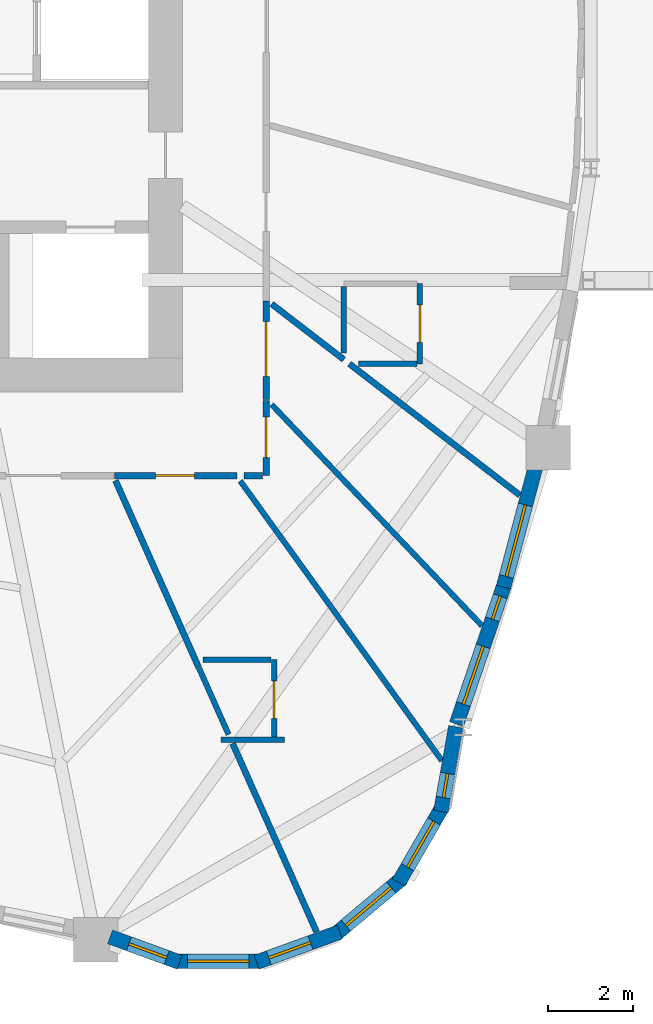
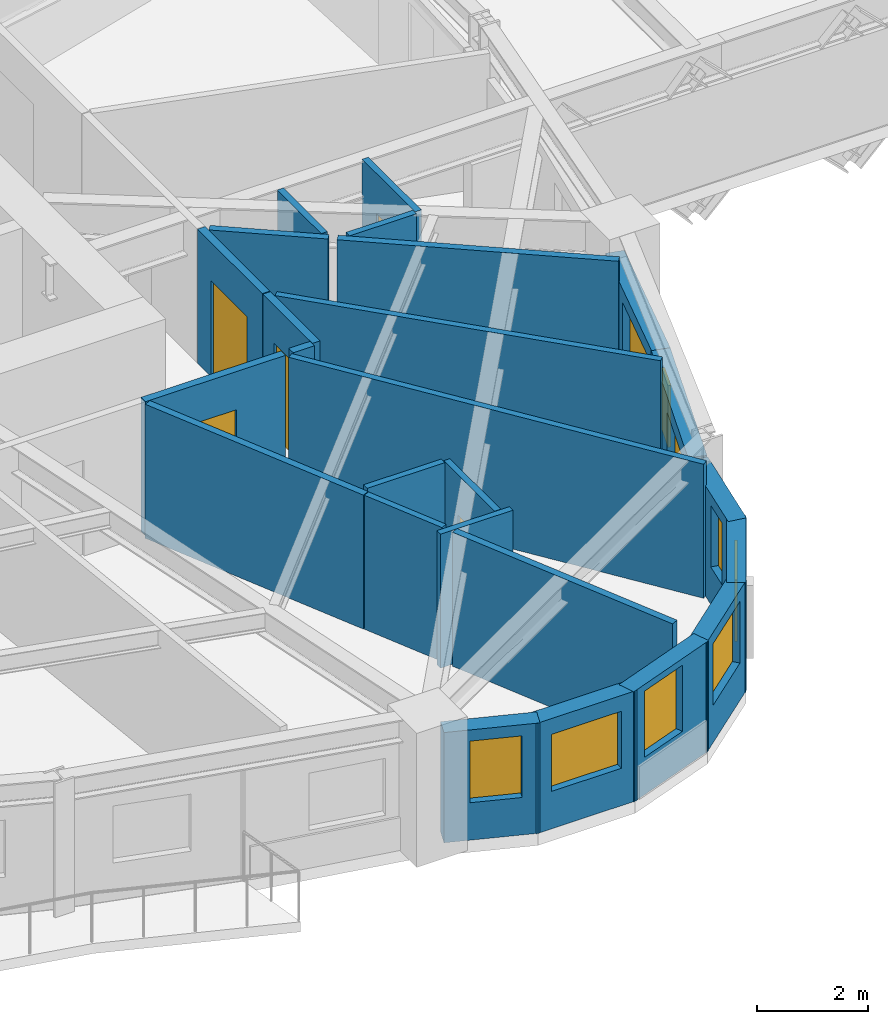
# One storey, part 7 of 16: 25 walls, 9 windows, 5 doors, 14 openings.
"""IFC4 building model written with IfcOpenShell, lengths in metres."""

import ifcopenshell
import ifcopenshell.guid

model = None  # the IFC model being written
_history = None  # IfcOwnerHistory: only IFC2X3 demands one
_inside = {}  # id of a spatial element -> (the spatial element, [elements in it])
_under = {}  # id of a project, library or spatial element -> (it, [spatial elements below it])
_declared = {}  # id of a project -> (the project, [libraries it declares])
_typed = {}  # id of a type object -> (the type object, [elements of that type])
_made_of = {}  # id of a material, layer set ... -> (it, [elements and type objects made of it])


def new_model(schema):
    """Start an empty IFC model of exactly this schema.

    Asked for "IFC4X3", IfcOpenShell would pick the latest addendum, in which some entities
    have other attributes; the version numbers below select the first issue.
    IFC2X3 requires an IfcOwnerHistory on every rooted entity: one is made here for all.
    """
    global model, _history
    if schema == "IFC4X3":
        model = ifcopenshell.file(schema_version=(4, 3, 0, 0))
    else:
        model = ifcopenshell.file(schema=schema)
    _inside.clear()
    _under.clear()
    _declared.clear()
    _typed.clear()
    _made_of.clear()
    _history = None
    if model.schema == "IFC2X3":
        org = make("IfcOrganization", Name="unknown")
        user = make(
            "IfcPersonAndOrganization",
            ThePerson=make("IfcPerson", FamilyName="unknown"),
            TheOrganization=org,
        )
        app = make(
            "IfcApplication",
            ApplicationDeveloper=org,
            Version="unknown",
            ApplicationFullName="unknown",
            ApplicationIdentifier="unknown",
        )
        _history = make(
            "IfcOwnerHistory",
            OwningUser=user,
            OwningApplication=app,
            ChangeAction="ADDED",
            CreationDate=0,
        )
    return model


def make(cls, **values):
    """One entity of the class cls with the attributes given. An attribute that is None is left unset."""
    return model.create_entity(
        cls, **{name: value for name, value in values.items() if value is not None}
    )


def rooted(cls, **values):
    """An entity with a GlobalId (a new one), such as an element, a storey or a relation."""
    return make(cls, GlobalId=ifcopenshell.guid.new(), OwnerHistory=_history, **values)


def si_unit(unit_type, name, prefix=None):
    """IfcSIUnit, for example si_unit("LENGTHUNIT", "METRE", prefix="MILLI")."""
    return make("IfcSIUnit", UnitType=unit_type, Prefix=prefix, Name=name)


def assignment(units):
    """IfcUnitAssignment: the units of a project."""
    return None if units is None else make("IfcUnitAssignment", Units=units)


def point(xyz):
    """IfcCartesianPoint."""
    return None if xyz is None else make("IfcCartesianPoint", Coordinates=xyz)


def direction(xyz):
    """IfcDirection."""
    return None if xyz is None else make("IfcDirection", DirectionRatios=xyz)


def frame(location, z_axis=None, x_axis=None):
    """IfcAxis2Placement3D, a coordinate frame: its origin and axes. An axis left out is left unset."""
    return make(
        "IfcAxis2Placement3D",
        Location=point(location),
        Axis=direction(z_axis),
        RefDirection=direction(x_axis),
    )


def frame_2d(location, x_axis=None):
    """IfcAxis2Placement2D, a coordinate frame in the plane: its origin and x axis."""
    return make(
        "IfcAxis2Placement2D", Location=point(location), RefDirection=direction(x_axis)
    )


def origin():
    """The frame at (0, 0, 0) with its axes left unset."""
    return frame((0.0, 0.0, 0.0))


def place(relative_to, where):
    """IfcLocalPlacement: puts the frame where relative to a parent placement (None: the world)."""
    return make(
        "IfcLocalPlacement", PlacementRelTo=relative_to, RelativePlacement=where
    )


def context(
    kind, dimensions, precision=None, world=None, true_north=None, identifier=None
):
    """IfcGeometricRepresentationContext, for example the 3D "Model" context."""
    return make(
        "IfcGeometricRepresentationContext",
        ContextIdentifier=identifier,
        ContextType=kind,
        CoordinateSpaceDimension=dimensions,
        Precision=precision,
        WorldCoordinateSystem=world,
        TrueNorth=true_north,
    )


def subcontext(parent, identifier, kind, view, scale=None):
    """IfcGeometricRepresentationSubContext, for example "Body" below "Model"."""
    return make(
        "IfcGeometricRepresentationSubContext",
        ContextIdentifier=identifier,
        ContextType=kind,
        ParentContext=parent,
        TargetScale=scale,
        TargetView=view,
    )


def project(units=None, contexts=None):
    """IfcProject with its units and contexts."""
    return rooted(
        "IfcProject",
        Name="project",
        RepresentationContexts=contexts,
        UnitsInContext=assignment(units),
    )


def spatial(cls, under=None, at=None, **own):
    """A site, building, storey or space (cls), placed at a placement, below another one or the project."""
    s = rooted(cls, ObjectPlacement=at, **own)
    if under is not None:
        _under.setdefault(under.id(), (under, []))[1].append(s)
    return s


def profile(cls, at=None, kind="AREA", **sizes):
    """A parametric profile (cls). Its sizes go by their IFC names, for example OverallWidth=200.0."""
    return make(cls, ProfileType=kind, Position=at, **sizes)


def rectangle(**sizes):
    """IfcRectangleProfileDef."""
    return profile("IfcRectangleProfileDef", **sizes)


def extrude(swept, where, along, depth):
    """IfcExtrudedAreaSolid: the profile swept, set in the frame where, extruded along a direction by depth."""
    return make(
        "IfcExtrudedAreaSolid",
        SweptArea=swept,
        Position=where,
        ExtrudedDirection=direction(along),
        Depth=depth,
    )


def shape(context_of_items, identifier, shape_type, items):
    """IfcShapeRepresentation: the items that make up one representation, for example the "Body"."""
    return make(
        "IfcShapeRepresentation",
        ContextOfItems=context_of_items,
        RepresentationIdentifier=identifier,
        RepresentationType=shape_type,
        Items=items,
    )


def source(mapping_origin, context_of_items, identifier, shape_type, items):
    """IfcRepresentationMap: a shape defined once, which mapped items show again and again."""
    return make(
        "IfcRepresentationMap",
        MappingOrigin=mapping_origin,
        MappedRepresentation=shape(context_of_items, identifier, shape_type, items),
    )


def transform(
    local_origin,
    x_axis=None,
    y_axis=None,
    z_axis=None,
    scale=None,
    scale2=None,
    scale3=None,
    uniform=True,
):
    """IfcCartesianTransformationOperator3D, or its non-uniform kind. x_axis, y_axis, z_axis: its Axis1, 2, 3."""
    if uniform:
        return make(
            "IfcCartesianTransformationOperator3D",
            Axis1=direction(x_axis),
            Axis2=direction(y_axis),
            LocalOrigin=point(local_origin),
            Scale=scale,
            Axis3=direction(z_axis),
        )
    return make(
        "IfcCartesianTransformationOperator3DnonUniform",
        Axis1=direction(x_axis),
        Axis2=direction(y_axis),
        LocalOrigin=point(local_origin),
        Scale=scale,
        Axis3=direction(z_axis),
        Scale2=scale2,
        Scale3=scale3,
    )


def mapped(mapping_source, mapping_target):
    """IfcMappedItem: shows the shape of a source again, moved by a transform."""
    return make(
        "IfcMappedItem", MappingSource=mapping_source, MappingTarget=mapping_target
    )


def material(Name=None, Category=None):
    """IfcMaterial."""
    return make("IfcMaterial", Name=Name, Category=Category)


def layer(
    of_material, thickness, ventilated=None, Name=None, Category=None, Priority=None
):
    """IfcMaterialLayer: one layer of a wall or slab, of a material (None: an air gap)."""
    return make(
        "IfcMaterialLayer",
        Material=of_material,
        LayerThickness=thickness,
        IsVentilated=ventilated,
        Name=Name,
        Category=Category,
        Priority=Priority,
    )


def layer_set(layers, Name=None):
    """IfcMaterialLayerSet."""
    return make("IfcMaterialLayerSet", MaterialLayers=layers, LayerSetName=Name)


def made_of(thing, what):
    """Note that an element or type object is made of a material, layer set ...; save() writes the relation."""
    if what is not None:
        _made_of.setdefault(what.id(), (what, []))[1].append(thing)
    return thing


def type_object(cls, material=None, **own):
    """A type object (cls), such as IfcWallType, which elements share."""
    return made_of(rooted(cls, **own), material)


def element(
    cls,
    number,
    at=None,
    inside=None,
    cuts=None,
    type_object=None,
    material=None,
    context=None,
    identifier="Body",
    shape_type=None,
    held_by="IfcProductDefinitionShape",
    body=None,
    shapes=None,
    **own,
):
    """One element of the class cls, such as IfcWall. Its Tag is "e" and its number.

    at: its placement. inside: the storey or other place that contains it. cuts: it is an
    opening in that element (IfcRelVoidsElement). A single representation is given by context,
    identifier, shape_type and body (its items); several are given by shapes. held_by: the class
    of the entity that holds the representations. save() writes the other relations.
    """
    e = rooted(cls, Tag="e%d" % number, ObjectPlacement=at, **own)
    if body is not None:
        shapes = [shape(context, identifier, shape_type, body)]
    if shapes is not None:
        e.Representation = make(held_by, Representations=shapes)
    if inside is not None:
        _inside.setdefault(inside.id(), (inside, []))[1].append(e)
    if cuts is not None:
        rooted(
            "IfcRelVoidsElement", RelatingBuildingElement=cuts, RelatedOpeningElement=e
        )
    if type_object is not None:
        _typed.setdefault(type_object.id(), (type_object, []))[1].append(e)
    return made_of(e, material)


def fill(opening, filler):
    """IfcRelFillsElement: the door or window that sits in an opening."""
    return rooted(
        "IfcRelFillsElement",
        RelatingOpeningElement=opening,
        RelatedBuildingElement=filler,
    )


def aggregate(whole, parts):
    """IfcRelAggregates: a whole, such as a stair, and the parts it consists of."""
    return rooted("IfcRelAggregates", RelatingObject=whole, RelatedObjects=parts)


def save(model, path):
    """Write the relations noted so far, then the file.

    IfcRelAggregates (storeys below a building ...), IfcRelContainedInSpatialStructure (elements
    in a storey), IfcRelDefinesByType, IfcRelAssociatesMaterial and IfcRelDeclares: one each for
    every whole, place, type object, material and project.
    """
    for whole, parts in _under.values():
        aggregate(whole, parts)
    for where, things in _inside.values():
        rooted(
            "IfcRelContainedInSpatialStructure",
            RelatedElements=things,
            RelatingStructure=where,
        )
    for kind, things in _typed.values():
        rooted("IfcRelDefinesByType", RelatedObjects=things, RelatingType=kind)
    for what, things in _made_of.values():
        rooted("IfcRelAssociatesMaterial", RelatedObjects=things, RelatingMaterial=what)
    for by, libraries in _declared.values():
        rooted("IfcRelDeclares", RelatingContext=by, RelatedDefinitions=libraries)
    model.write(path)


model = new_model("IFC4")

# Units and contexts
model_context = context("Model", 3, precision=1e-05, world=origin(), true_north=direction((0.0, 1.0)))
body_context = subcontext(model_context, "Body", "Model", "MODEL_VIEW")
ifc_project = project(units=[si_unit("LENGTHUNIT", "METRE"), si_unit("AREAUNIT", "SQUARE_METRE"), si_unit("VOLUMEUNIT", "CUBIC_METRE"), si_unit("PLANEANGLEUNIT", "RADIAN"), si_unit("MASSUNIT", "GRAM", prefix="KILO")], contexts=[model_context])

# Site, building, storey
site_placement = place(None, origin())
site = spatial("IfcSite", under=ifc_project, at=site_placement, CompositionType="ELEMENT")
building_placement = place(site_placement, origin())
building = spatial("IfcBuilding", under=site, at=building_placement, Name="Qafzar Sky-Pleat Residences", CompositionType="ELEMENT")
storey_placement = place(building_placement, frame((0.0, 0.0, 30.199951171875)))
storey = spatial("IfcBuildingStorey", under=building, at=storey_placement, Name="L08", CompositionType="ELEMENT", Elevation=30.199951171875)

# Wall, opening, door
ifc_material_1 = material(Name="Acoustic gypsum plasterboard partition", Category="gypsum")
ifc_layer_1 = layer(ifc_material_1, 0.159912109375)
ifc_layer_set_1 = layer_set([ifc_layer_1], Name="Acoustic gypsum plasterboard partition")
wall_type_1 = type_object("IfcWallType", Name="PART-COR-160", PredefinedType="PARTITIONING", material=ifc_layer_set_1)
wall_1_placement = place(storey_placement, frame((37.9951171875, 15.419921875, 0.0), z_axis=(0.0, 0.0, 1.0), x_axis=(-1.0, 0.0, 0.0)))
wall_1 = element("IfcWall", 1, at=wall_1_placement, inside=storey, type_object=wall_type_1, Name="L08 Partition Wall PART-L08-PW-015", PredefinedType="PARTITIONING", context=body_context, shape_type="SweptSolid", body=[
    extrude(rectangle(XDim=2.900146484375, YDim=0.159912109375, at=frame_2d((1.4501953125, 0.0))), origin(), (0.0, 0.0, 1.0), 2.93505859375),
])
opening_1_placement = place(wall_1_placement, frame((1.014404296875, 0.0, 0.0)))
opening_1 = element("IfcOpeningElement", 2, at=opening_1_placement, cuts=wall_1, Name="Opening ID-04", PredefinedType="OPENING", context=body_context, shape_type="SweptSolid", body=[
    extrude(rectangle(XDim=0.919921875, YDim=2.10009765625, at=frame_2d((0.4599609375, 1.050048828125))), frame((0.0, 0.08984375, 0.0), z_axis=(0.0, -1.0, 0.0), x_axis=(1.0, 0.0, 0.0)), (0.0, 0.0, 1.0), 0.179931640625),
])
ifc_material_2 = material(Name="Timber-faced fire door", Category="wood")
door_type_1 = type_object("IfcDoorType", Name="DR-BED-920", OperationType="NOTDEFINED", PredefinedType="DOOR", material=ifc_material_2)
shared_shape_1 = source(origin(), body_context, "Body", "SweptSolid", [
    extrude(rectangle(XDim=0.919921875, YDim=2.10009765625, at=frame_2d((0.4599609375, 1.050048828125))), frame((0.0, 0.02490234375, 0.0), z_axis=(0.0, -1.0, 0.0), x_axis=(1.0, 0.0, 0.0)), (0.0, 0.0, 1.0), 0.050048828125),
])
door_1_placement = place(opening_1_placement, origin())
door_1 = element("IfcDoor", 3, at=door_1_placement, inside=storey, type_object=door_type_1, Name="L08 Co-Living Bedroom 7 Door", OperationType="SINGLE_SWING_LEFT", OverallHeight=2.10009765625, OverallWidth=0.919921875, PredefinedType="DOOR", context=body_context, shape_type="MappedRepresentation", body=[
    mapped(shared_shape_1, transform((0.0, 0.0, 0.0), x_axis=(1.0, 0.0, 0.0), y_axis=(0.0, 1.0, 0.0), z_axis=(0.0, 0.0, 1.0), scale=1.0)),
])
fill(opening_1, door_1)

wall_2_placement = place(storey_placement, frame((38.679931640625, 19.549072265625, 0.0), z_axis=(0.0, 0.0, 1.0), x_axis=(0.0, -1.0, 0.0)))
wall_2 = element("IfcWall", 4, at=wall_2_placement, inside=storey, type_object=wall_type_1, Name="L08 Partition Wall PART-L08-PW-016", PredefinedType="PARTITIONING", context=body_context, shape_type="SweptSolid", body=[
    extrude(rectangle(XDim=2.3310546875, YDim=0.159912109375, at=frame_2d((1.16552734375, 0.0))), origin(), (0.0, 0.0, 1.0), 2.93505859375),
])
opening_2_placement = place(wall_2_placement, frame((0.487548828125, 0.0, 0.0)))
opening_2 = element("IfcOpeningElement", 5, at=opening_2_placement, cuts=wall_2, Name="Opening ID-05", PredefinedType="OPENING", context=body_context, shape_type="SweptSolid", body=[
    extrude(rectangle(XDim=1.300048828125, YDim=2.10009765625, at=frame_2d((0.64990234375, 1.050048828125))), frame((0.0, 0.08984375, 0.0), z_axis=(0.0, -1.0, 0.0), x_axis=(1.0, 0.0, 0.0)), (0.0, 0.0, 1.0), 0.179931640625),
])
door_type_2 = type_object("IfcDoorType", Name="DR-LNG-1300", OperationType="DOUBLE_DOOR_SINGLE_SWING", PredefinedType="DOOR", material=ifc_material_2)
shared_shape_2 = source(origin(), body_context, "Body", "SweptSolid", [
    extrude(rectangle(XDim=1.300048828125, YDim=2.10009765625, at=frame_2d((0.64990234375, 1.050048828125))), frame((0.0, 0.02490234375, 0.0), z_axis=(0.0, -1.0, 0.0), x_axis=(1.0, 0.0, 0.0)), (0.0, 0.0, 1.0), 0.050048828125),
])
door_2_placement = place(opening_2_placement, origin())
door_2 = element("IfcDoor", 6, at=door_2_placement, inside=storey, type_object=door_type_2, Name="L08 Scholar Study Room Door", OperationType="DOUBLE_DOOR_SINGLE_SWING", OverallHeight=2.10009765625, OverallWidth=1.300048828125, PredefinedType="DOOR", context=body_context, shape_type="MappedRepresentation", body=[
    mapped(shared_shape_2, transform((0.0, 0.0, 0.0), x_axis=(1.0, 0.0, 0.0), y_axis=(0.0, 1.0, 0.0), z_axis=(0.0, 0.0, 1.0), scale=1.0)),
])
fill(opening_2, door_2)

wall_3_placement = place(storey_placement, frame((38.679931640625, 17.202880859375, 0.0), z_axis=(0.0, 0.0, 1.0), x_axis=(0.0, -1.0, 0.0)))
wall_3 = element("IfcWall", 7, at=wall_3_placement, inside=storey, type_object=wall_type_1, Name="L08 Partition Wall PART-L08-PW-030", PredefinedType="PARTITIONING", context=body_context, shape_type="SweptSolid", body=[
    extrude(rectangle(XDim=1.782958984375, YDim=0.159912109375, at=frame_2d((0.8916015625, 0.0))), origin(), (0.0, 0.0, 1.0), 2.93505859375),
])
opening_3_placement = place(wall_3_placement, frame((0.39794921875, 0.0, 0.0)))
opening_3 = element("IfcOpeningElement", 8, at=opening_3_placement, cuts=wall_3, Name="Opening ID-08", PredefinedType="OPENING", context=body_context, shape_type="SweptSolid", body=[
    extrude(rectangle(XDim=0.949951171875, YDim=2.10009765625, at=frame_2d((0.47509765625, 1.050048828125))), frame((0.0, 0.08984375, 0.0), z_axis=(0.0, -1.0, 0.0), x_axis=(1.0, 0.0, 0.0)), (0.0, 0.0, 1.0), 0.179931640625),
])
door_type_3 = type_object("IfcDoorType", Name="DR-AWC-950", OperationType="NOTDEFINED", PredefinedType="DOOR", material=ifc_material_2)
shared_shape_3 = source(origin(), body_context, "Body", "SweptSolid", [
    extrude(rectangle(XDim=0.949951171875, YDim=2.10009765625, at=frame_2d((0.47509765625, 1.050048828125))), frame((0.0, 0.02490234375, 0.0), z_axis=(0.0, -1.0, 0.0), x_axis=(1.0, 0.0, 0.0)), (0.0, 0.0, 1.0), 0.050048828125),
])
door_3_placement = place(opening_3_placement, origin())
door_3 = element("IfcDoor", 9, at=door_3_placement, inside=storey, type_object=door_type_3, Name="L08 Accessible Shared Washroom Door", OperationType="SINGLE_SWING_RIGHT", OverallHeight=2.10009765625, OverallWidth=0.949951171875, PredefinedType="DOOR", context=body_context, shape_type="MappedRepresentation", body=[
    mapped(shared_shape_3, transform((0.0, 0.0, 0.0), x_axis=(1.0, 0.0, 0.0), y_axis=(0.0, 1.0, 0.0), z_axis=(0.0, 0.0, 1.0), scale=1.0)),
])
fill(opening_3, door_3)

# Walls
wall_4_placement = place(storey_placement, frame((38.15576171875, 15.419921875, 0.0), z_axis=(0.0, 0.0, 1.0), x_axis=(1.0, 0.0, 0.0)))
element("IfcWall", 10, at=wall_4_placement, inside=storey, type_object=wall_type_1, Name="L08 Partition Wall PART-L08-PW-097", PredefinedType="PARTITIONING", context=body_context, shape_type="SweptSolid", body=[
    extrude(rectangle(XDim=0.436279296875, YDim=0.159912109375, at=frame_2d((0.21826171875, 0.0))), origin(), (0.0, 0.0, 1.0), 2.93505859375),
])
ifc_layer_2 = layer(ifc_material_1, 0.14501953125)
ifc_layer_set_2 = layer_set([ifc_layer_2], Name="Acoustic gypsum plasterboard partition")
wall_type_2 = type_object("IfcWallType", Name="PART-UNIT-145", PredefinedType="PARTITIONING", material=ifc_layer_set_2)
wall_5_placement = place(storey_placement, frame((40.64892578125, 18.06591796875, 0.0), z_axis=(0.0, 0.0, 1.0), x_axis=(0.792155051101, -0.610319895641, 0.0)))
element("IfcWall", 11, at=wall_5_placement, inside=storey, type_object=wall_type_2, Name="L08 Partition Wall PART-L08-PW-048", PredefinedType="PARTITIONING", context=body_context, shape_type="SweptSolid", body=[
    extrude(rectangle(XDim=5.0927734375, YDim=0.14501953125, at=frame_2d((2.54638671875, 0.0))), origin(), (0.0, 0.0, 1.0), 2.93505859375),
])
wall_6_placement = place(storey_placement, frame((37.88720703125, 9.082275390625, 0.0), z_axis=(0.0, 0.0, 1.0), x_axis=(0.406941066305, -0.913454415149, 0.0)))
element("IfcWall", 12, at=wall_6_placement, inside=storey, type_object=wall_type_2, Name="L08 Partition Wall PART-L08-PW-049", PredefinedType="PARTITIONING", context=body_context, shape_type="SweptSolid", body=[
    extrude(rectangle(XDim=4.8818359375, YDim=0.14501953125, at=frame_2d((2.44091796875, 0.0))), origin(), (0.0, 0.0, 1.0), 2.93505859375),
])
wall_7_placement = place(storey_placement, frame((35.115966796875, 15.30322265625, 0.0), z_axis=(0.0, 0.0, 1.0), x_axis=(0.406910733823, -0.913467927571, 0.0)))
element("IfcWall", 13, at=wall_7_placement, inside=storey, type_object=wall_type_2, Name="L08 Partition Wall PART-L08-PW-050", PredefinedType="PARTITIONING", context=body_context, shape_type="SweptSolid", body=[
    extrude(rectangle(XDim=4.8388671875, YDim=0.14501953125, at=frame_2d((2.41943359375, 0.0))), origin(), (0.0, 0.0, 1.0), 2.93505859375),
])
wall_8_placement = place(storey_placement, frame((38.810546875, 19.482421875, 0.0), z_axis=(0.0, 0.0, 1.0), x_axis=(0.792185877025, -0.61027988353, 0.0)))
element("IfcWall", 14, at=wall_8_placement, inside=storey, type_object=wall_type_2, Name="L08 Partition Wall PART-L08-PW-059", PredefinedType="PARTITIONING", context=body_context, shape_type="SweptSolid", body=[
    extrude(rectangle(XDim=2.155517578125, YDim=0.14501953125, at=frame_2d((1.07763671875, 0.0))), origin(), (0.0, 0.0, 1.0), 2.93505859375),
])

# Wall, opening, door
ifc_material_3 = material(Name="Moisture-resistant gypsum partition", Category="gypsum")
ifc_layer_3 = layer(ifc_material_3, 0.1298828125)
ifc_layer_set_3 = layer_set([ifc_layer_3], Name="Moisture-resistant gypsum partition")
wall_type_3 = type_object("IfcWallType", Name="PART-WET-130", PredefinedType="PARTITIONING", material=ifc_layer_set_3)
wall_9_placement = place(storey_placement, frame((42.318115234375, 18.06591796875, 0.0), z_axis=(0.0, 0.0, 1.0), x_axis=(0.0, 1.0, 0.0)))
wall_9 = element("IfcWall", 15, at=wall_9_placement, inside=storey, type_object=wall_type_3, Name="L08 Partition Wall PART-L08-PW-020", PredefinedType="PARTITIONING", context=body_context, shape_type="SweptSolid", body=[
    extrude(rectangle(XDim=1.900146484375, YDim=0.1298828125, at=frame_2d((0.9501953125, 0.0))), origin(), (0.0, 0.0, 1.0), 2.93505859375),
])
opening_4_placement = place(wall_9_placement, frame((0.510009765625, 0.0, 0.0)))
opening_4 = element("IfcOpeningElement", 16, at=opening_4_placement, cuts=wall_9, Name="Opening ID-07", PredefinedType="OPENING", context=body_context, shape_type="SweptSolid", body=[
    extrude(rectangle(XDim=0.8798828125, YDim=2.050048828125, at=frame_2d((0.43994140625, 1.02490234375))), frame((0.0, 0.074951171875, 0.0), z_axis=(0.0, -1.0, 0.0), x_axis=(1.0, 0.0, 0.0)), (0.0, 0.0, 1.0), 0.14990234375),
])
door_type_4 = type_object("IfcDoorType", Name="DR-WET-880", OperationType="NOTDEFINED", PredefinedType="DOOR", material=ifc_material_2)
shared_shape_4 = source(origin(), body_context, "Body", "SweptSolid", [
    extrude(rectangle(XDim=0.8798828125, YDim=2.050048828125, at=frame_2d((0.43994140625, 1.02490234375))), frame((0.0, 0.02490234375, 0.0), z_axis=(0.0, -1.0, 0.0), x_axis=(1.0, 0.0, 0.0)), (0.0, 0.0, 1.0), 0.050048828125),
])
door_4_placement = place(opening_4_placement, origin())
door_4 = element("IfcDoor", 17, at=door_4_placement, inside=storey, type_object=door_type_4, Name="L08 En-suite Bathroom 8 Door", OperationType="SINGLE_SWING_RIGHT", OverallHeight=2.050048828125, OverallWidth=0.8798828125, PredefinedType="DOOR", context=body_context, shape_type="MappedRepresentation", body=[
    mapped(shared_shape_4, transform((0.0, 0.0, 0.0), x_axis=(1.0, 0.0, 0.0), y_axis=(0.0, 1.0, 0.0), z_axis=(0.0, 0.0, 1.0), scale=1.0)),
])
fill(opening_4, door_4)

wall_10_placement = place(storey_placement, frame((38.8701171875, 9.241943359375, 0.0), z_axis=(0.0, 0.0, 1.0), x_axis=(0.0, 1.0, 0.0)))
wall_10 = element("IfcWall", 18, at=wall_10_placement, inside=storey, type_object=wall_type_3, Name="L08 Partition Wall PART-L08-PW-022", PredefinedType="PARTITIONING", context=body_context, shape_type="SweptSolid", body=[
    extrude(rectangle(XDim=1.8271484375, YDim=0.1298828125, at=frame_2d((0.91357421875, 0.0))), origin(), (0.0, 0.0, 1.0), 2.93505859375),
])
opening_5_placement = place(wall_10_placement, frame((0.43701171875, 0.0, 0.0)))
opening_5 = element("IfcOpeningElement", 19, at=opening_5_placement, cuts=wall_10, Name="Opening ID-07", PredefinedType="OPENING", context=body_context, shape_type="SweptSolid", body=[
    extrude(rectangle(XDim=0.8798828125, YDim=2.050048828125, at=frame_2d((0.43994140625, 1.02490234375))), frame((0.0, 0.074951171875, 0.0), z_axis=(0.0, -1.0, 0.0), x_axis=(1.0, 0.0, 0.0)), (0.0, 0.0, 1.0), 0.14990234375),
])
door_5_placement = place(opening_5_placement, origin())
door_5 = element("IfcDoor", 20, at=door_5_placement, inside=storey, type_object=door_type_4, Name="L08 En-suite Bathroom 7 Door", OperationType="SINGLE_SWING_RIGHT", OverallHeight=2.050048828125, OverallWidth=0.8798828125, PredefinedType="DOOR", context=body_context, shape_type="MappedRepresentation", body=[
    mapped(shared_shape_4, transform((0.0, 0.0, 0.0), x_axis=(1.0, 0.0, 0.0), y_axis=(0.0, 1.0, 0.0), z_axis=(0.0, 0.0, 1.0), scale=1.0)),
])
fill(opening_5, door_5)

# Walls
wall_11_placement = place(storey_placement, frame((38.06689453125, 15.29541015625, 0.0), z_axis=(0.0, 0.0, 1.0), x_axis=(0.584777320582, -0.811193864211, 0.0)))
element("IfcWall", 21, at=wall_11_placement, inside=storey, type_object=wall_type_3, Name="L08 Partition Wall PART-L08-PW-039", PredefinedType="PARTITIONING", context=body_context, shape_type="SweptSolid", body=[
    extrude(rectangle(XDim=8.16357421875, YDim=0.1298828125, at=frame_2d((4.081787109375, 0.0))), origin(), (0.0, 0.0, 1.0), 2.93505859375),
])
wall_12_placement = place(storey_placement, frame((38.8125, 17.1005859375, 0.0), z_axis=(0.0, 0.0, 1.0), x_axis=(0.689140556814, -0.724627692649, 0.0)))
element("IfcWall", 22, at=wall_12_placement, inside=storey, type_object=wall_type_3, Name="L08 Partition Wall PART-L08-PW-044", PredefinedType="PARTITIONING", context=body_context, shape_type="SweptSolid", body=[
    extrude(rectangle(XDim=7.216796875, YDim=0.1298828125, at=frame_2d((3.6083984375, 0.0))), origin(), (0.0, 0.0, 1.0), 2.93505859375),
])
wall_13_placement = place(storey_placement, frame((37.091064453125, 10.869140625, 0.0), z_axis=(0.0, 0.0, 1.0), x_axis=(0.406835672622, -0.913501360416, 0.0)))
element("IfcWall", 23, at=wall_13_placement, inside=storey, type_object=wall_type_3, Name="L08 Partition Wall PART-L08-PW-067", PredefinedType="PARTITIONING", context=body_context, shape_type="SweptSolid", body=[
    extrude(rectangle(XDim=1.7216796875, YDim=0.1298828125, at=frame_2d((0.86083984375, 0.0))), origin(), (0.0, 0.0, 1.0), 2.93505859375),
])
wall_14_placement = place(storey_placement, frame((37.186279296875, 11.069091796875, 0.0), z_axis=(0.0, 0.0, 1.0), x_axis=(1.0, 0.0, 0.0)))
element("IfcWall", 24, at=wall_14_placement, inside=storey, type_object=wall_type_3, Name="L08 Partition Wall PART-L08-PW-075", PredefinedType="PARTITIONING", context=body_context, shape_type="SweptSolid", body=[
    extrude(rectangle(XDim=1.61083984375, YDim=0.1298828125, at=frame_2d((0.805419921875, 0.0))), origin(), (0.0, 0.0, 1.0), 2.93505859375),
])
wall_15_placement = place(storey_placement, frame((40.51806640625, 18.316650390625, 0.0), z_axis=(0.0, 0.0, 1.0), x_axis=(0.0, 1.0, 0.0)))
element("IfcWall", 25, at=wall_15_placement, inside=storey, type_object=wall_type_3, Name="L08 Partition Wall PART-L08-PW-079", PredefinedType="PARTITIONING", context=body_context, shape_type="SweptSolid", body=[
    extrude(rectangle(XDim=1.576416015625, YDim=0.1298828125, at=frame_2d((0.7880859375, 0.0))), origin(), (0.0, 0.0, 1.0), 2.93505859375),
])
wall_16_placement = place(storey_placement, frame((40.860107421875, 18.06591796875, 0.0), z_axis=(0.0, 0.0, 1.0), x_axis=(1.0, 0.0, 0.0)))
element("IfcWall", 26, at=wall_16_placement, inside=storey, type_object=wall_type_3, Name="L08 Partition Wall PART-L08-PW-085", PredefinedType="PARTITIONING", context=body_context, shape_type="SweptSolid", body=[
    extrude(rectangle(XDim=1.385009765625, YDim=0.1298828125, at=frame_2d((0.6923828125, 0.0))), origin(), (0.0, 0.0, 1.0), 2.93505859375),
])
wall_17_placement = place(storey_placement, frame((37.60888671875, 9.1689453125, 0.0), z_axis=(0.0, 0.0, 1.0), x_axis=(1.0, 0.0, 0.0)))
element("IfcWall", 27, at=wall_17_placement, inside=storey, type_object=wall_type_3, Name="L08 Partition Wall PART-L08-PW-094", PredefinedType="PARTITIONING", context=body_context, shape_type="SweptSolid", body=[
    extrude(rectangle(XDim=1.501220703125, YDim=0.1298828125, at=frame_2d((0.75048828125, 0.0))), origin(), (0.0, 0.0, 1.0), 2.93505859375),
])

# Wall, opening, window
ifc_material_4 = material(Name="Precast concrete C40/50 with honed Riyadh limestone", Category="concrete")
ifc_layer_4 = layer(ifc_material_4, 0.35009765625)
ifc_layer_set_4 = layer_set([ifc_layer_4], Name="Precast concrete C40/50 with honed Riyadh limestone")
wall_type_4 = type_object("IfcWallType", Name="WALL-EXT-350", PredefinedType="SOLIDWALL", material=ifc_layer_set_4)
wall_18_placement = place(storey_placement, frame((34.98681640625, 4.50634765625, 0.0), z_axis=(0.0, 0.0, 1.0), x_axis=(0.939720171257, -0.341944439541, 0.0)))
wall_18 = element("IfcWall", 28, at=wall_18_placement, inside=storey, type_object=wall_type_4, Name="L08 Limestone Facade Wall 17", PredefinedType="SOLIDWALL", context=body_context, shape_type="SweptSolid", body=[
    extrude(rectangle(XDim=1.752197265625, YDim=0.35009765625, at=frame_2d((0.8759765625, 0.0))), origin(), (0.0, 0.0, 1.0), 2.4150390625),
])
opening_6_placement = place(wall_18_placement, frame((0.47607421875, 0.0, 0.820068359375)))
opening_6 = element("IfcOpeningElement", 29, at=opening_6_placement, cuts=wall_18, Name="Opening WN-12", PredefinedType="OPENING", context=body_context, shape_type="SweptSolid", body=[
    extrude(rectangle(XDim=0.949951171875, YDim=1.35009765625, at=frame_2d((0.47509765625, 0.675048828125))), frame((0.0, 0.18505859375, 0.0), z_axis=(0.0, -1.0, 0.0), x_axis=(1.0, 0.0, 0.0)), (0.0, 0.0, 1.0), 0.3701171875),
])
ifc_material_5 = material(Name="Solar-control low-E glass in bronze aluminium frame", Category="glass")
window_type_1 = type_object("IfcWindowType", Name="WIN-12", PartitioningType="SINGLE_PANEL", PredefinedType="WINDOW", material=ifc_material_5)
shared_shape_5 = source(origin(), body_context, "Body", "SweptSolid", [
    extrude(rectangle(XDim=0.949951171875, YDim=1.35009765625, at=frame_2d((0.47509765625, 0.675048828125))), frame((0.0, 0.030029296875, 0.0), z_axis=(0.0, -1.0, 0.0), x_axis=(1.0, 0.0, 0.0)), (0.0, 0.0, 1.0), 0.06005859375),
])
window_1_placement = place(opening_6_placement, origin())
window_1 = element("IfcWindow", 30, at=window_1_placement, inside=storey, type_object=window_type_1, Name="L08 Punched Facade Window 17", OverallHeight=1.35009765625, OverallWidth=0.949951171875, PartitioningType="SINGLE_PANEL", PredefinedType="WINDOW", context=body_context, shape_type="MappedRepresentation", body=[
    mapped(shared_shape_5, transform((0.0, 0.0, 0.0), x_axis=(1.0, 0.0, 0.0), y_axis=(0.0, 1.0, 0.0), z_axis=(0.0, 0.0, 1.0), scale=1.0)),
])
fill(opening_6, window_1)

wall_19_placement = place(storey_placement, frame((36.499755859375, 3.9306640625, 0.0), z_axis=(0.0, 0.0, 1.0), x_axis=(1.0, 0.0, 0.0)))
wall_19 = element("IfcWall", 31, at=wall_19_placement, inside=storey, type_object=wall_type_4, Name="L08 Limestone Facade Wall 18", PredefinedType="SOLIDWALL", context=body_context, shape_type="SweptSolid", body=[
    extrude(rectangle(XDim=2.09033203125, YDim=0.35009765625, at=frame_2d((1.045166015625, 0.0))), origin(), (0.0, 0.0, 1.0), 2.4150390625),
])
opening_7_placement = place(wall_19_placement, frame((0.3203125, 0.0, 0.820068359375)))
opening_7 = element("IfcOpeningElement", 32, at=opening_7_placement, cuts=wall_19, Name="Opening WN-15", PredefinedType="OPENING", context=body_context, shape_type="SweptSolid", body=[
    extrude(rectangle(XDim=1.449951171875, YDim=1.25, at=frame_2d((0.72509765625, 0.625))), frame((0.0, 0.18505859375, 0.0), z_axis=(0.0, -1.0, 0.0), x_axis=(1.0, 0.0, 0.0)), (0.0, 0.0, 1.0), 0.3701171875),
])
window_type_2 = type_object("IfcWindowType", Name="WIN-15", PartitioningType="SINGLE_PANEL", PredefinedType="WINDOW", material=ifc_material_5)
shared_shape_6 = source(origin(), body_context, "Body", "SweptSolid", [
    extrude(rectangle(XDim=1.449951171875, YDim=1.25, at=frame_2d((0.72509765625, 0.625))), frame((0.0, 0.030029296875, 0.0), z_axis=(0.0, -1.0, 0.0), x_axis=(1.0, 0.0, 0.0)), (0.0, 0.0, 1.0), 0.06005859375),
])
window_2_placement = place(opening_7_placement, origin())
window_2 = element("IfcWindow", 33, at=window_2_placement, inside=storey, type_object=window_type_2, Name="L08 Punched Facade Window 18", OverallHeight=1.25, OverallWidth=1.449951171875, PartitioningType="SINGLE_PANEL", PredefinedType="WINDOW", context=body_context, shape_type="MappedRepresentation", body=[
    mapped(shared_shape_6, transform((0.0, 0.0, 0.0), x_axis=(1.0, 0.0, 0.0), y_axis=(0.0, 1.0, 0.0), z_axis=(0.0, 0.0, 1.0), scale=1.0)),
])
fill(opening_7, window_2)

wall_20_placement = place(storey_placement, frame((38.45654296875, 3.9072265625, 0.0), z_axis=(0.0, 0.0, 1.0), x_axis=(0.939711556618, 0.341968113072, 0.0)))
wall_20 = element("IfcWall", 34, at=wall_20_placement, inside=storey, type_object=wall_type_4, Name="L08 Limestone Facade Wall 19", PredefinedType="SOLIDWALL", context=body_context, shape_type="SweptSolid", body=[
    extrude(rectangle(XDim=2.09033203125, YDim=0.35009765625, at=frame_2d((1.045166015625, 0.0))), origin(), (0.0, 0.0, 1.0), 2.4150390625),
])
opening_8_placement = place(wall_20_placement, frame((0.303955078125, 0.0, 0.820068359375)))
opening_8 = element("IfcOpeningElement", 35, at=opening_8_placement, cuts=wall_20, Name="Opening WN-06", PredefinedType="OPENING", context=body_context, shape_type="SweptSolid", body=[
    extrude(rectangle(XDim=1.050048828125, YDim=1.449951171875, at=frame_2d((0.52490234375, 0.72509765625))), frame((0.0, 0.18505859375, 0.0), z_axis=(0.0, -1.0, 0.0), x_axis=(1.0, 0.0, 0.0)), (0.0, 0.0, 1.0), 0.3701171875),
])
window_type_3 = type_object("IfcWindowType", Name="WIN-06", PartitioningType="SINGLE_PANEL", PredefinedType="WINDOW", material=ifc_material_5)
shared_shape_7 = source(origin(), body_context, "Body", "SweptSolid", [
    extrude(rectangle(XDim=1.050048828125, YDim=1.449951171875, at=frame_2d((0.52490234375, 0.72509765625))), frame((0.0, 0.030029296875, 0.0), z_axis=(0.0, -1.0, 0.0), x_axis=(1.0, 0.0, 0.0)), (0.0, 0.0, 1.0), 0.06005859375),
])
window_3_placement = place(opening_8_placement, origin())
window_3 = element("IfcWindow", 36, at=window_3_placement, inside=storey, type_object=window_type_3, Name="L08 Punched Facade Window 19", OverallHeight=1.449951171875, OverallWidth=1.050048828125, PartitioningType="SINGLE_PANEL", PredefinedType="WINDOW", context=body_context, shape_type="MappedRepresentation", body=[
    mapped(shared_shape_7, transform((0.0, 0.0, 0.0), x_axis=(1.0, 0.0, 0.0), y_axis=(0.0, 1.0, 0.0), z_axis=(0.0, 0.0, 1.0), scale=1.0)),
])
fill(opening_8, window_3)

wall_21_placement = place(storey_placement, frame((40.303466796875, 4.55419921875, 0.0), z_axis=(0.0, 0.0, 1.0), x_axis=(0.766024572719, 0.642811289563, 0.0)))
wall_21 = element("IfcWall", 37, at=wall_21_placement, inside=storey, type_object=wall_type_4, Name="L08 Limestone Facade Wall 20", PredefinedType="SOLIDWALL", context=body_context, shape_type="SweptSolid", body=[
    extrude(rectangle(XDim=2.09033203125, YDim=0.35009765625, at=frame_2d((1.045166015625, 0.0))), origin(), (0.0, 0.0, 1.0), 2.4150390625),
])
opening_9_placement = place(wall_21_placement, frame((0.34521484375, 0.0, 0.820068359375)))
opening_9 = element("IfcOpeningElement", 38, at=opening_9_placement, cuts=wall_21, Name="Opening WN-10", PredefinedType="OPENING", context=body_context, shape_type="SweptSolid", body=[
    extrude(rectangle(XDim=1.39990234375, YDim=1.35009765625, at=frame_2d((0.699951171875, 0.675048828125))), frame((0.0, 0.18505859375, 0.0), z_axis=(0.0, -1.0, 0.0), x_axis=(1.0, 0.0, 0.0)), (0.0, 0.0, 1.0), 0.3701171875),
])
window_type_4 = type_object("IfcWindowType", Name="WIN-10", PartitioningType="SINGLE_PANEL", PredefinedType="WINDOW", material=ifc_material_5)
shared_shape_8 = source(origin(), body_context, "Body", "SweptSolid", [
    extrude(rectangle(XDim=1.39990234375, YDim=1.35009765625, at=frame_2d((0.699951171875, 0.675048828125))), frame((0.0, 0.030029296875, 0.0), z_axis=(0.0, -1.0, 0.0), x_axis=(1.0, 0.0, 0.0)), (0.0, 0.0, 1.0), 0.06005859375),
])
window_4_placement = place(opening_9_placement, origin())
window_4 = element("IfcWindow", 39, at=window_4_placement, inside=storey, type_object=window_type_4, Name="L08 Punched Facade Window 20", OverallHeight=1.35009765625, OverallWidth=1.39990234375, PartitioningType="SINGLE_PANEL", PredefinedType="WINDOW", context=body_context, shape_type="MappedRepresentation", body=[
    mapped(shared_shape_8, transform((0.0, 0.0, 0.0), x_axis=(1.0, 0.0, 0.0), y_axis=(0.0, 1.0, 0.0), z_axis=(0.0, 0.0, 1.0), scale=1.0)),
])
fill(opening_9, window_4)

wall_22_placement = place(storey_placement, frame((41.8173828125, 5.7939453125, 0.0), z_axis=(0.0, 0.0, 1.0), x_axis=(0.499995423472, 0.866028046028, 0.0)))
wall_22 = element("IfcWall", 40, at=wall_22_placement, inside=storey, type_object=wall_type_4, Name="L08 Limestone Facade Wall 21", PredefinedType="SOLIDWALL", context=body_context, shape_type="SweptSolid", body=[
    extrude(rectangle(XDim=2.09033203125, YDim=0.35009765625, at=frame_2d((1.045166015625, 0.0))), origin(), (0.0, 0.0, 1.0), 2.4150390625),
])
opening_10_placement = place(wall_22_placement, frame((0.420166015625, 0.0, 0.820068359375)))
opening_10 = element("IfcOpeningElement", 41, at=opening_10_placement, cuts=wall_22, Name="Opening WN-11", PredefinedType="OPENING", context=body_context, shape_type="SweptSolid", body=[
    extrude(rectangle(XDim=1.25, YDim=1.35009765625, at=frame_2d((0.625, 0.675048828125))), frame((0.0, 0.18505859375, 0.0), z_axis=(0.0, -1.0, 0.0), x_axis=(1.0, 0.0, 0.0)), (0.0, 0.0, 1.0), 0.3701171875),
])
window_type_5 = type_object("IfcWindowType", Name="WIN-11", PartitioningType="SINGLE_PANEL", PredefinedType="WINDOW", material=ifc_material_5)
shared_shape_9 = source(origin(), body_context, "Body", "SweptSolid", [
    extrude(rectangle(XDim=1.25, YDim=1.35009765625, at=frame_2d((0.625, 0.675048828125))), frame((0.0, 0.030029296875, 0.0), z_axis=(0.0, -1.0, 0.0), x_axis=(1.0, 0.0, 0.0)), (0.0, 0.0, 1.0), 0.06005859375),
])
window_5_placement = place(opening_10_placement, origin())
window_5 = element("IfcWindow", 42, at=window_5_placement, inside=storey, type_object=window_type_5, Name="L08 Punched Facade Window 21", OverallHeight=1.35009765625, OverallWidth=1.25, PartitioningType="SINGLE_PANEL", PredefinedType="WINDOW", context=body_context, shape_type="MappedRepresentation", body=[
    mapped(shared_shape_9, transform((0.0, 0.0, 0.0), x_axis=(1.0, 0.0, 0.0), y_axis=(0.0, 1.0, 0.0), z_axis=(0.0, 0.0, 1.0), scale=1.0)),
])
fill(opening_10, window_5)

wall_23_placement = place(storey_placement, frame((42.81640625, 7.476806640625, 0.0), z_axis=(0.0, 0.0, 1.0), x_axis=(0.173586593252, 0.984818610021, 0.0)))
wall_23 = element("IfcWall", 43, at=wall_23_placement, inside=storey, type_object=wall_type_4, Name="L08 Limestone Facade Wall 22", PredefinedType="SOLIDWALL", context=body_context, shape_type="SweptSolid", body=[
    extrude(rectangle(XDim=2.0322265625, YDim=0.35009765625, at=frame_2d((1.01611328125, 0.0))), origin(), (0.0, 0.0, 1.0), 2.4150390625),
])
opening_11_placement = place(wall_23_placement, frame((0.33203125, 0.0, 0.820068359375)))
opening_11 = element("IfcOpeningElement", 44, at=opening_11_placement, cuts=wall_23, Name="Opening WN-17", PredefinedType="OPENING", context=body_context, shape_type="SweptSolid", body=[
    extrude(rectangle(XDim=0.580078125, YDim=1.35009765625, at=frame_2d((0.2900390625, 0.675048828125))), frame((0.0, 0.18505859375, 0.0), z_axis=(0.0, -1.0, 0.0), x_axis=(1.0, 0.0, 0.0)), (0.0, 0.0, 1.0), 0.3701171875),
])
window_type_6 = type_object("IfcWindowType", Name="WIN-17", PartitioningType="SINGLE_PANEL", PredefinedType="WINDOW", material=ifc_material_5)
shared_shape_10 = source(origin(), body_context, "Body", "SweptSolid", [
    extrude(rectangle(XDim=0.580078125, YDim=1.35009765625, at=frame_2d((0.2900390625, 0.675048828125))), frame((0.0, 0.030029296875, 0.0), z_axis=(0.0, -1.0, 0.0), x_axis=(1.0, 0.0, 0.0)), (0.0, 0.0, 1.0), 0.06005859375),
])
window_6_placement = place(opening_11_placement, origin())
window_6 = element("IfcWindow", 45, at=window_6_placement, inside=storey, type_object=window_type_6, Name="L08 Punched Facade Window 22", OverallHeight=1.35009765625, OverallWidth=0.580078125, PartitioningType="SINGLE_PANEL", PredefinedType="WINDOW", context=body_context, shape_type="MappedRepresentation", body=[
    mapped(shared_shape_10, transform((0.0, 0.0, 0.0), x_axis=(1.0, 0.0, 0.0), y_axis=(0.0, 1.0, 0.0), z_axis=(0.0, 0.0, 1.0), scale=1.0)),
])
fill(opening_11, window_6)

# Wall, openings, windows
wall_24_placement = place(storey_placement, frame((43.185791015625, 9.543212890625, 0.0), z_axis=(0.0, 0.0, 1.0), x_axis=(0.323620542135, 0.946186950189, 0.0)))
wall_24 = element("IfcWall", 46, at=wall_24_placement, inside=storey, type_object=wall_type_4, Name="L08 Limestone Facade Wall 23", PredefinedType="SOLIDWALL", context=body_context, shape_type="SweptSolid", body=[
    extrude(rectangle(XDim=3.512451171875, YDim=0.35009765625, at=frame_2d((1.75634765625, 0.0))), origin(), (0.0, 0.0, 1.0), 2.4150390625),
])
opening_12_placement = place(wall_24_placement, frame((0.497802734375, 0.0, 0.820068359375)))
opening_12 = element("IfcOpeningElement", 47, at=opening_12_placement, cuts=wall_24, Name="Opening WN-15", PredefinedType="OPENING", context=body_context, shape_type="SweptSolid", body=[
    extrude(rectangle(XDim=1.449951171875, YDim=1.25, at=frame_2d((0.72509765625, 0.625))), frame((0.0, 0.18505859375, 0.0), z_axis=(0.0, -1.0, 0.0), x_axis=(1.0, 0.0, 0.0)), (0.0, 0.0, 1.0), 0.3701171875),
])
opening_13_placement = place(wall_24_placement, frame((2.619384765625, 0.0, 0.820068359375)))
opening_13 = element("IfcOpeningElement", 48, at=opening_13_placement, cuts=wall_24, Name="Opening WN-17", PredefinedType="OPENING", context=body_context, shape_type="SweptSolid", body=[
    extrude(rectangle(XDim=0.580078125, YDim=1.35009765625, at=frame_2d((0.2900390625, 0.675048828125))), frame((0.0, 0.18505859375, 0.0), z_axis=(0.0, -1.0, 0.0), x_axis=(1.0, 0.0, 0.0)), (0.0, 0.0, 1.0), 0.3701171875),
])
window_7_placement = place(opening_12_placement, origin())
window_7 = element("IfcWindow", 49, at=window_7_placement, inside=storey, type_object=window_type_2, Name="L08 Punched Facade Window 23", OverallHeight=1.25, OverallWidth=1.449951171875, PartitioningType="SINGLE_PANEL", PredefinedType="WINDOW", context=body_context, shape_type="MappedRepresentation", body=[
    mapped(shared_shape_6, transform((0.0, 0.0, 0.0), x_axis=(1.0, 0.0, 0.0), y_axis=(0.0, 1.0, 0.0), z_axis=(0.0, 0.0, 1.0), scale=1.0)),
])
fill(opening_12, window_7)
window_8_placement = place(opening_13_placement, origin())
window_8 = element("IfcWindow", 50, at=window_8_placement, inside=storey, type_object=window_type_6, Name="L08 Punched Facade Window 23-2", OverallHeight=1.35009765625, OverallWidth=0.580078125, PartitioningType="SINGLE_PANEL", PredefinedType="WINDOW", context=body_context, shape_type="MappedRepresentation", body=[
    mapped(shared_shape_10, transform((0.0, 0.0, 0.0), x_axis=(1.0, 0.0, 0.0), y_axis=(0.0, 1.0, 0.0), z_axis=(0.0, 0.0, 1.0), scale=1.0)),
])
fill(opening_13, window_8)

# Wall, opening, window
wall_25_placement = place(storey_placement, frame((44.296875, 12.782470703125, 0.0), z_axis=(0.0, 0.0, 1.0), x_axis=(0.257090265476, 0.96638739406, 0.0)))
wall_25 = element("IfcWall", 51, at=wall_25_placement, inside=storey, type_object=wall_type_4, Name="L08 Limestone Facade Wall 24", PredefinedType="SOLIDWALL", context=body_context, shape_type="SweptSolid", body=[
    extrude(rectangle(XDim=3.159423828125, YDim=0.35009765625, at=frame_2d((1.57958984375, 0.0))), origin(), (0.0, 0.0, 1.0), 2.4150390625),
])
opening_14_placement = place(wall_25_placement, frame((0.261474609375, 0.0, 0.820068359375)))
opening_14 = element("IfcOpeningElement", 52, at=opening_14_placement, cuts=wall_25, Name="Opening WN-14", PredefinedType="OPENING", context=body_context, shape_type="SweptSolid", body=[
    extrude(rectangle(XDim=1.75, YDim=1.300048828125, at=frame_2d((0.875, 0.64990234375))), frame((0.0, 0.18505859375, 0.0), z_axis=(0.0, -1.0, 0.0), x_axis=(1.0, 0.0, 0.0)), (0.0, 0.0, 1.0), 0.3701171875),
])
window_type_7 = type_object("IfcWindowType", Name="WIN-14", PartitioningType="DOUBLE_PANEL_VERTICAL", PredefinedType="WINDOW", material=ifc_material_5)
shared_shape_11 = source(origin(), body_context, "Body", "SweptSolid", [
    extrude(rectangle(XDim=1.75, YDim=1.300048828125, at=frame_2d((0.875, 0.64990234375))), frame((0.0, 0.030029296875, 0.0), z_axis=(0.0, -1.0, 0.0), x_axis=(1.0, 0.0, 0.0)), (0.0, 0.0, 1.0), 0.06005859375),
])
window_9_placement = place(opening_14_placement, origin())
window_9 = element("IfcWindow", 53, at=window_9_placement, inside=storey, type_object=window_type_7, Name="L08 Punched Facade Window 24", OverallHeight=1.300048828125, OverallWidth=1.75, PartitioningType="SINGLE_PANEL", PredefinedType="WINDOW", context=body_context, shape_type="MappedRepresentation", body=[
    mapped(shared_shape_11, transform((0.0, 0.0, 0.0), x_axis=(1.0, 0.0, 0.0), y_axis=(0.0, 1.0, 0.0), z_axis=(0.0, 0.0, 1.0), scale=1.0)),
])
fill(opening_14, window_9)

save(model, "model.ifc")
